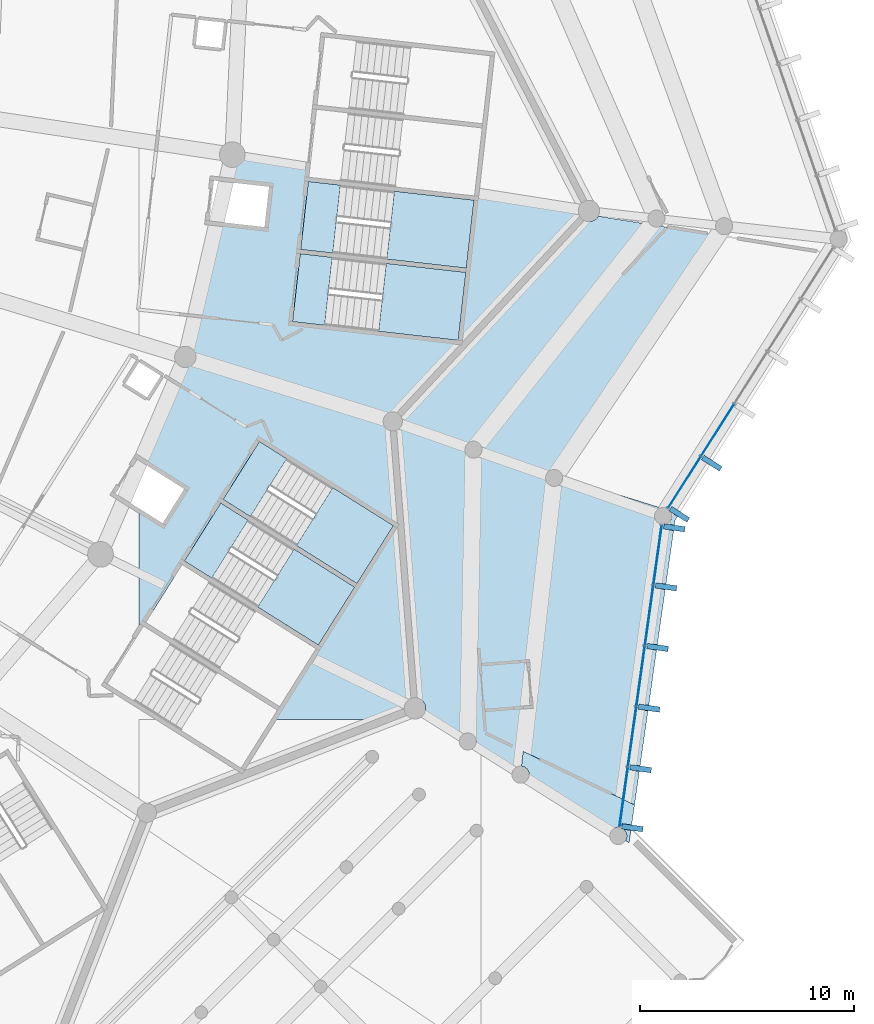
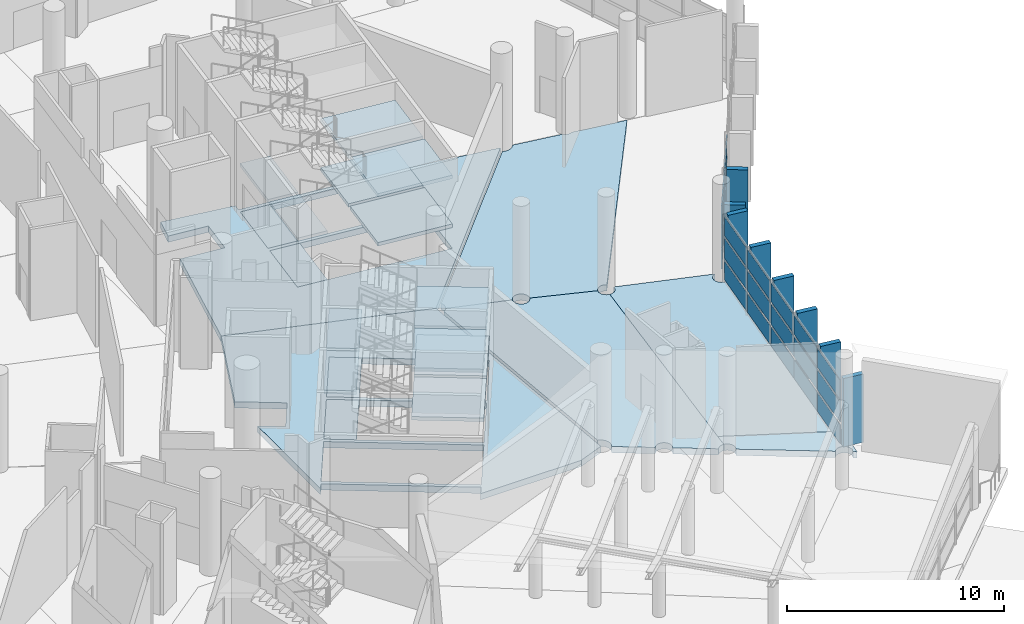
# One storey, part 131 of 271: 29 plates, 22 slabs, 6 elements without a shape of their own.
"""IFC4 building model written with IfcOpenShell, lengths in metres."""

from ifc_helpers import new_model, si_unit, direction, frame, origin, origin_2d, place, context, subcontext, project, spatial, polyline, rectangle, outline, extrude, material, layer, layer_set, type_object, element, aggregate, save


model = new_model("IFC4")

# Units and contexts
model_context = context("Model", 3, precision=1e-05, world=origin(), true_north=direction((0.0, 1.0)))
body_context = subcontext(model_context, "Body", "Model", "MODEL_VIEW")
ifc_project = project(units=[si_unit("LENGTHUNIT", "METRE"), si_unit("AREAUNIT", "SQUARE_METRE"), si_unit("VOLUMEUNIT", "CUBIC_METRE"), si_unit("PLANEANGLEUNIT", "RADIAN"), si_unit("MASSUNIT", "GRAM", prefix="KILO")], contexts=[model_context])

# Site, building, storey
site_placement = place(None, origin())
site = spatial("IfcSite", under=ifc_project, at=site_placement, CompositionType="ELEMENT")
building_placement = place(site_placement, origin())
building = spatial("IfcBuilding", under=site, at=building_placement, Name="Meseta Stadium", CompositionType="ELEMENT")
storey_placement = place(building_placement, frame((0.0, 0.0, 6.5)))
storey = spatial("IfcBuildingStorey", under=building, at=storey_placement, Name="L01", CompositionType="ELEMENT", Elevation=6.5)

# Slabs
ifc_material_1 = material(Name="Concrete C40/50", Category="concrete")
ifc_layer_1 = layer(ifc_material_1, 0.35009765625)
ifc_layer_set_1 = layer_set([ifc_layer_1], Name="Floor slab 350")
slab_type_1 = type_object("IfcSlabType", Name="Floor slab 350", PredefinedType="FLOOR", material=ifc_layer_set_1)
slab_1_placement = place(storey_placement, frame((0.0, 0.0, -0.35009765625)))
element("IfcSlab", 1, at=slab_1_placement, inside=storey, type_object=slab_type_1, Name="Floor slab L01 sector 49 panel 16", PredefinedType="FLOOR", context=body_context, shape_type="SweptSolid", body=[
    extrude(outline(polyline([(81.10498046875, -70.81787109375), (80.0, -70.12353515625), (80.0, -75.959716796875), (80.208251953125, -75.628173828125), (86.47412109375, -79.565185546875), (86.20068359375, -80.0), (91.56103515625, -80.0), (92.908447265625, -79.474609375), (91.872802734375, -66.051513671875), (82.169189453125, -63.03369140625), (80.06787109375, -67.922119140625), (82.11572265625, -69.208984375), (81.10498046875, -70.81787109375)]), holes=[polyline([(82.01708984375, -72.749267578125), (88.282958984375, -76.686279296875), (86.58056640625, -79.395751953125), (80.314697265625, -75.458740234375), (82.01708984375, -72.749267578125)]), polyline([(82.123779296875, -72.579833984375), (83.826171875, -69.870361328125), (90.091796875, -73.807373046875), (88.389404296875, -76.516845703125), (82.123779296875, -72.579833984375)]), polyline([(83.9326171875, -69.700927734375), (85.635009765625, -66.991455078125), (91.90087890625, -70.9287109375), (90.1982421875, -73.63818359375), (83.9326171875, -69.700927734375)])]), origin(), (0.0, 0.0, 1.0), 0.35009765625),
])
slab_2_placement = place(storey_placement, frame((0.0, 0.0, -0.35009765625)))
element("IfcSlab", 2, at=slab_2_placement, inside=storey, type_object=slab_type_1, Name="Floor slab L01 sector 49 panel 17", PredefinedType="FLOOR", context=body_context, shape_type="SweptSolid", body=[
    extrude(outline(polyline([(82.169189453125, -63.03369140625), (91.872802734375, -66.051513671875), (100.910888671875, -56.353759765625), (95.3837890625, -55.463623046875), (87.94580078125, -54.62548828125), (87.985595703125, -54.272216796875), (84.335693359375, -53.684326171875), (84.0673828125, -54.842529296875), (86.08447265625, -55.06982421875), (85.87158203125, -56.9580078125), (83.635498046875, -56.7060546875), (82.169189453125, -63.03369140625)]), holes=[polyline([(87.1845703125, -61.3828125), (87.542724609375, -58.202880859375), (95.293701171875, -59.076171875), (94.935302734375, -62.256103515625), (87.1845703125, -61.3828125)]), polyline([(87.565185546875, -58.004150390625), (87.923583984375, -54.82421875), (95.67431640625, -55.697509765625), (95.316162109375, -58.87744140625), (87.565185546875, -58.004150390625)])]), origin(), (0.0, 0.0, 1.0), 0.35009765625),
])
slab_3_placement = place(storey_placement, frame((0.0, 0.0, -0.35009765625)))
element("IfcSlab", 3, at=slab_3_placement, inside=storey, type_object=slab_type_1, Name="Ring floor slab L01 8 part 1 panel 01", PredefinedType="FLOOR", context=body_context, shape_type="SweptSolid", body=[
    extrude(outline(polyline([(95.258544921875, -67.268310546875), (95.272705078125, -67.234375), (92.2578125, -66.2890625), (92.193603515625, -66.37255859375), (92.099609375, -66.444580078125), (92.054931640625, -66.463134765625), (93.021240234375, -78.985107421875), (93.0390625, -78.9873046875), (93.16064453125, -79.037841796875), (93.26513671875, -79.117919921875), (93.34521484375, -79.222412109375), (93.395751953125, -79.343994140625), (93.412841796875, -79.474609375), (93.395751953125, -79.60498046875), (93.34521484375, -79.726806640625), (93.333740234375, -79.74169921875), (95.0400390625, -80.81396484375), (95.094970703125, -80.7421875), (95.178466796875, -80.67822265625), (95.27587890625, -80.637939453125), (95.380126953125, -80.624267578125), (95.484619140625, -80.637939453125), (95.581787109375, -80.67822265625), (95.66552734375, -80.7421875), (95.7294921875, -80.825927734375), (95.77001953125, -80.923095703125), (95.78369140625, -81.027587890625), (95.77001953125, -81.132080078125), (95.7294921875, -81.2294921875), (95.720458984375, -81.241455078125), (97.51171875, -82.366943359375), (97.566650390625, -82.29541015625), (97.650146484375, -82.231201171875), (97.747314453125, -82.19091796875), (97.851806640625, -82.17724609375), (97.89697265625, -82.18310546875), (99.37890625, -69.09130859375), (99.3193359375, -69.08349609375), (99.22216796875, -69.043212890625), (99.138427734375, -68.97900390625), (99.074462890625, -68.8955078125), (99.0341796875, -68.798095703125), (99.020263671875, -68.69384765625), (99.0341796875, -68.58935546875), (99.045654296875, -68.5615234375), (96.0263671875, -67.5048828125), (95.997802734375, -67.574462890625), (95.93359375, -67.657958984375), (95.85009765625, -67.72216796875), (95.752685546875, -67.762451171875), (95.648193359375, -67.776123046875), (95.543701171875, -67.762451171875), (95.446533203125, -67.72216796875), (95.363037109375, -67.657958984375), (95.298828125, -67.574462890625), (95.258544921875, -67.47705078125), (95.244873046875, -67.372802734375), (95.258544921875, -67.268310546875)])), origin(), (0.0, 0.0, 1.0), 0.35009765625),
])
slab_4_placement = place(storey_placement, frame((0.0, 0.0, -0.35009765625)))
element("IfcSlab", 4, at=slab_4_placement, inside=storey, type_object=slab_type_1, Name="Ring floor slab L01 8 part 1 panel 02", PredefinedType="FLOOR", context=body_context, shape_type="SweptSolid", body=[
    extrude(outline(polyline([(92.27294921875, -65.842041015625), (92.31103515625, -65.93408203125), (92.32666015625, -66.051513671875), (92.31103515625, -66.1689453125), (92.265869140625, -66.278564453125), (92.2578125, -66.2890625), (95.272705078125, -67.234375), (95.298828125, -67.1708984375), (95.363037109375, -67.08740234375), (95.446533203125, -67.023193359375), (95.543701171875, -66.98291015625), (95.648193359375, -66.96923828125), (95.752685546875, -66.98291015625), (95.85009765625, -67.023193359375), (95.93359375, -67.08740234375), (95.997802734375, -67.1708984375), (96.0380859375, -67.268310546875), (96.0517578125, -67.372802734375), (96.038330078125, -67.474365234375), (96.0263671875, -67.5048828125), (99.045654296875, -68.5615234375), (99.074462890625, -68.4921875), (99.138427734375, -68.408447265625), (99.22216796875, -68.344482421875), (99.3193359375, -68.30419921875), (99.423828125, -68.290283203125), (99.5283203125, -68.30419921875), (99.62548828125, -68.344482421875), (99.64794921875, -68.361572265625), (107.08056640625, -57.347412109375), (104.39697265625, -56.915283203125), (104.31640625, -56.948486328125), (104.2119140625, -56.96240234375), (104.107666015625, -56.948486328125), (104.01025390625, -56.908203125), (103.9267578125, -56.84423828125), (103.922607421875, -56.8388671875), (101.49169921875, -56.447265625), (101.48828125, -56.455078125), (101.408203125, -56.559326171875), (101.3037109375, -56.6396484375), (101.18212890625, -56.68994140625), (101.0517578125, -56.70703125), (100.921142578125, -56.68994140625), (100.835693359375, -56.654541015625), (92.27294921875, -65.842041015625)])), origin(), (0.0, 0.0, 1.0), 0.35009765625),
])
slab_5_placement = place(storey_placement, frame((0.0, 0.0, -0.35009765625)))
element("IfcSlab", 5, at=slab_5_placement, inside=storey, type_object=slab_type_1, Name="Ring floor slab L01 8 part 1 panel 03", PredefinedType="FLOOR", context=body_context, shape_type="SweptSolid", body=[
    extrude(outline(polyline([(102.773681640625, -85.655517578125), (102.764892578125, -85.66650390625), (102.931396484375, -85.771240234375), (103.0263671875, -85.106201171875), (103.02734375, -85.10693359375), (103.186279296875, -83.992919921875), (97.9755859375, -81.487060546875), (97.89697265625, -82.18310546875), (97.956298828125, -82.19091796875), (98.0537109375, -82.231201171875), (98.13720703125, -82.29541015625), (98.201416015625, -82.37890625), (98.24169921875, -82.476318359375), (98.25537109375, -82.580810546875), (98.24169921875, -82.68505859375), (98.201416015625, -82.782470703125), (98.192626953125, -82.793701171875), (102.084716796875, -85.239013671875), (102.138916015625, -85.16845703125), (102.222412109375, -85.104248046875), (102.31982421875, -85.06396484375), (102.42431640625, -85.05029296875), (102.479736328125, -85.0576171875), (102.528564453125, -85.06396484375), (102.6259765625, -85.104248046875), (102.70947265625, -85.16845703125), (102.773681640625, -85.251953125), (102.81396484375, -85.34912109375), (102.82763671875, -85.45361328125), (102.81396484375, -85.55810546875), (102.773681640625, -85.655517578125)])), origin(), (0.0, 0.0, 1.0), 0.35009765625),
])
slab_6_placement = place(storey_placement, frame((0.0, 0.0, -0.35009765625)))
element("IfcSlab", 6, at=slab_6_placement, inside=storey, type_object=slab_type_1, Name="Ring floor slab L01 8 part 1 panel 04", PredefinedType="FLOOR", context=body_context, shape_type="SweptSolid", body=[
    extrude(outline(polyline([(104.319091796875, -70.82666015625), (104.235595703125, -70.7626953125), (104.17138671875, -70.678955078125), (104.131103515625, -70.581787109375), (104.1171875, -70.477294921875), (104.131103515625, -70.372802734375), (104.17138671875, -70.275634765625), (104.235595703125, -70.19189453125), (104.319091796875, -70.1279296875), (104.397705078125, -70.09521484375), (99.822998046875, -68.660888671875), (99.8271484375, -68.69384765625), (99.8134765625, -68.798095703125), (99.773193359375, -68.8955078125), (99.708984375, -68.97900390625), (99.62548828125, -69.043212890625), (99.5283203125, -69.08349609375), (99.423828125, -69.09716796875), (99.37890625, -69.09130859375), (97.9755859375, -81.487060546875), (103.186279296875, -83.992919921875), (105.087158203125, -70.675537109375), (105.27880859375, -70.37158203125), (104.837646484375, -70.233154296875), (104.8701171875, -70.275634765625), (104.910400390625, -70.372802734375), (104.92431640625, -70.477294921875), (104.910400390625, -70.581787109375), (104.8701171875, -70.678955078125), (104.805908203125, -70.7626953125), (104.722412109375, -70.82666015625), (104.625244140625, -70.866943359375), (104.520751953125, -70.880859375), (104.416259765625, -70.866943359375), (104.319091796875, -70.82666015625)])), origin(), (0.0, 0.0, 1.0), 0.35009765625),
])

# Curtain wall, plates
ifc_material_2 = material(Name="Aluminium", Category="aluminium")
ifc_layer_2 = layer(ifc_material_2, 0.199951171875)
ifc_layer_set_2 = layer_set([ifc_layer_2], Name="Ring shopfront curtain wall")
curtain_wall_type = type_object("IfcCurtainWallType", Name="Ring shopfront curtain wall", PredefinedType="NOTDEFINED", material=ifc_layer_set_2)
curtain_wall_1_placement = place(storey_placement, origin())
curtain_wall_1 = element("IfcCurtainWall", 7, at=curtain_wall_1_placement, inside=storey, type_object=curtain_wall_type, Name="Ring glazing L01 F54", PredefinedType="NOTDEFINED")
ifc_material_3 = material(Name="Glass", Category="glass")
ifc_layer_3 = layer(ifc_material_3, 0.035888671875)
ifc_layer_set_3 = layer_set([ifc_layer_3], Name="Ring CW glass panel 36")
plate_type_1 = type_object("IfcPlateType", Name="Ring CW glass panel 36", PredefinedType="CURTAIN_PANEL", material=ifc_layer_set_3)
plate_1_placement = place(storey_placement, frame((102.68017578125, -83.624267578125, 0.14990234375), z_axis=(0.0, 0.0, 1.0), x_axis=(0.13864277713, 0.990342456098, 0.0)))
plate_1 = element("IfcPlate", 8, at=plate_1_placement, type_object=plate_type_1, Name="CWR1 panel 1.1", PredefinedType="CURTAIN_PANEL", context=body_context, shape_type="SweptSolid", body=[
    extrude(rectangle(XDim=2.7744140625, YDim=0.035888671875, at=origin_2d()), origin(), (0.0, 0.0, 1.0), 1.058349609375),
])
plate_2_placement = place(storey_placement, frame((102.68017578125, -83.624267578125, 1.3583984375), z_axis=(0.0, 0.0, 1.0), x_axis=(0.13864277713, 0.990342456098, 0.0)))
plate_2 = element("IfcPlate", 9, at=plate_2_placement, type_object=plate_type_1, Name="CWR1 panel 1.2", PredefinedType="CURTAIN_PANEL", context=body_context, shape_type="SweptSolid", body=[
    extrude(rectangle(XDim=2.7744140625, YDim=0.035888671875, at=origin_2d()), origin(), (0.0, 0.0, 1.0), 1.13330078125),
])
plate_3_placement = place(storey_placement, frame((102.68017578125, -83.624267578125, 2.6416015625), z_axis=(0.0, 0.0, 1.0), x_axis=(0.13864277713, 0.990342456098, 0.0)))
plate_3 = element("IfcPlate", 10, at=plate_3_placement, type_object=plate_type_1, Name="CWR1 panel 1.3", PredefinedType="CURTAIN_PANEL", context=body_context, shape_type="SweptSolid", body=[
    extrude(rectangle(XDim=2.7744140625, YDim=0.035888671875, at=origin_2d()), origin(), (0.0, 0.0, 1.0), 1.058349609375),
])
plate_4_placement = place(storey_placement, frame((103.0751953125, -80.80224609375, 0.14990234375), z_axis=(0.0, 0.0, 1.0), x_axis=(0.13864277713, 0.990342456098, 0.0)))
plate_4 = element("IfcPlate", 11, at=plate_4_placement, type_object=plate_type_1, Name="CWR1 panel 2.1", PredefinedType="CURTAIN_PANEL", context=body_context, shape_type="SweptSolid", body=[
    extrude(rectangle(XDim=2.804443359375, YDim=0.035888671875, at=origin_2d()), origin(), (0.0, 0.0, 1.0), 1.058349609375),
])
plate_5_placement = place(storey_placement, frame((103.0751953125, -80.80224609375, 1.3583984375), z_axis=(0.0, 0.0, 1.0), x_axis=(0.13864277713, 0.990342456098, 0.0)))
plate_5 = element("IfcPlate", 12, at=plate_5_placement, type_object=plate_type_1, Name="CWR1 panel 2.2", PredefinedType="CURTAIN_PANEL", context=body_context, shape_type="SweptSolid", body=[
    extrude(rectangle(XDim=2.804443359375, YDim=0.035888671875, at=origin_2d()), origin(), (0.0, 0.0, 1.0), 1.13330078125),
])
plate_6_placement = place(storey_placement, frame((103.0751953125, -80.80224609375, 2.6416015625), z_axis=(0.0, 0.0, 1.0), x_axis=(0.13864277713, 0.990342456098, 0.0)))
plate_6 = element("IfcPlate", 13, at=plate_6_placement, type_object=plate_type_1, Name="CWR1 panel 2.3", PredefinedType="CURTAIN_PANEL", context=body_context, shape_type="SweptSolid", body=[
    extrude(rectangle(XDim=2.804443359375, YDim=0.035888671875, at=origin_2d()), origin(), (0.0, 0.0, 1.0), 1.058349609375),
])
plate_7_placement = place(storey_placement, frame((103.472412109375, -77.96533203125, 0.14990234375), z_axis=(0.0, 0.0, 1.0), x_axis=(0.13864277713, 0.990342456098, 0.0)))
plate_7 = element("IfcPlate", 14, at=plate_7_placement, type_object=plate_type_1, Name="CWR1 panel 3.1", PredefinedType="CURTAIN_PANEL", context=body_context, shape_type="SweptSolid", body=[
    extrude(rectangle(XDim=2.804443359375, YDim=0.035888671875, at=origin_2d()), origin(), (0.0, 0.0, 1.0), 1.058349609375),
])
plate_8_placement = place(storey_placement, frame((103.472412109375, -77.96533203125, 1.3583984375), z_axis=(0.0, 0.0, 1.0), x_axis=(0.13864277713, 0.990342456098, 0.0)))
plate_8 = element("IfcPlate", 15, at=plate_8_placement, type_object=plate_type_1, Name="CWR1 panel 3.2", PredefinedType="CURTAIN_PANEL", context=body_context, shape_type="SweptSolid", body=[
    extrude(rectangle(XDim=2.804443359375, YDim=0.035888671875, at=origin_2d()), origin(), (0.0, 0.0, 1.0), 1.13330078125),
])
plate_9_placement = place(storey_placement, frame((103.472412109375, -77.96533203125, 2.6416015625), z_axis=(0.0, 0.0, 1.0), x_axis=(0.13864277713, 0.990342456098, 0.0)))
plate_9 = element("IfcPlate", 16, at=plate_9_placement, type_object=plate_type_1, Name="CWR1 panel 3.3", PredefinedType="CURTAIN_PANEL", context=body_context, shape_type="SweptSolid", body=[
    extrude(rectangle(XDim=2.804443359375, YDim=0.035888671875, at=origin_2d()), origin(), (0.0, 0.0, 1.0), 1.058349609375),
])
plate_10_placement = place(storey_placement, frame((103.86962890625, -75.128662109375, 0.14990234375), z_axis=(0.0, 0.0, 1.0), x_axis=(0.13864277713, 0.990342456098, 0.0)))
plate_10 = element("IfcPlate", 17, at=plate_10_placement, type_object=plate_type_1, Name="CWR1 panel 4.1", PredefinedType="CURTAIN_PANEL", context=body_context, shape_type="SweptSolid", body=[
    extrude(rectangle(XDim=2.804443359375, YDim=0.035888671875, at=origin_2d()), origin(), (0.0, 0.0, 1.0), 1.058349609375),
])
plate_11_placement = place(storey_placement, frame((103.86962890625, -75.128662109375, 1.3583984375), z_axis=(0.0, 0.0, 1.0), x_axis=(0.13864277713, 0.990342456098, 0.0)))
plate_11 = element("IfcPlate", 18, at=plate_11_placement, type_object=plate_type_1, Name="CWR1 panel 4.2", PredefinedType="CURTAIN_PANEL", context=body_context, shape_type="SweptSolid", body=[
    extrude(rectangle(XDim=2.804443359375, YDim=0.035888671875, at=origin_2d()), origin(), (0.0, 0.0, 1.0), 1.13330078125),
])
plate_12_placement = place(storey_placement, frame((103.86962890625, -75.128662109375, 2.6416015625), z_axis=(0.0, 0.0, 1.0), x_axis=(0.13864277713, 0.990342456098, 0.0)))
plate_12 = element("IfcPlate", 19, at=plate_12_placement, type_object=plate_type_1, Name="CWR1 panel 4.3", PredefinedType="CURTAIN_PANEL", context=body_context, shape_type="SweptSolid", body=[
    extrude(rectangle(XDim=2.804443359375, YDim=0.035888671875, at=origin_2d()), origin(), (0.0, 0.0, 1.0), 1.058349609375),
])
plate_13_placement = place(storey_placement, frame((104.2646484375, -72.306640625, 0.14990234375), z_axis=(0.0, 0.0, 1.0), x_axis=(0.13864277713, 0.990342456098, 0.0)))
plate_13 = element("IfcPlate", 20, at=plate_13_placement, type_object=plate_type_1, Name="CWR1 panel 5.1", PredefinedType="CURTAIN_PANEL", context=body_context, shape_type="SweptSolid", body=[
    extrude(rectangle(XDim=2.7744140625, YDim=0.035888671875, at=origin_2d()), origin(), (0.0, 0.0, 1.0), 1.058349609375),
])
plate_14_placement = place(storey_placement, frame((104.2646484375, -72.306640625, 1.3583984375), z_axis=(0.0, 0.0, 1.0), x_axis=(0.13864277713, 0.990342456098, 0.0)))
plate_14 = element("IfcPlate", 21, at=plate_14_placement, type_object=plate_type_1, Name="CWR1 panel 5.2", PredefinedType="CURTAIN_PANEL", context=body_context, shape_type="SweptSolid", body=[
    extrude(rectangle(XDim=2.7744140625, YDim=0.035888671875, at=origin_2d()), origin(), (0.0, 0.0, 1.0), 1.13330078125),
])
plate_15_placement = place(storey_placement, frame((104.2646484375, -72.306640625, 2.6416015625), z_axis=(0.0, 0.0, 1.0), x_axis=(0.13864277713, 0.990342456098, 0.0)))
plate_15 = element("IfcPlate", 22, at=plate_15_placement, type_object=plate_type_1, Name="CWR1 panel 5.3", PredefinedType="CURTAIN_PANEL", context=body_context, shape_type="SweptSolid", body=[
    extrude(rectangle(XDim=2.7744140625, YDim=0.035888671875, at=origin_2d()), origin(), (0.0, 0.0, 1.0), 1.058349609375),
])
aggregate(curtain_wall_1, [plate_1, plate_2, plate_3, plate_4, plate_5, plate_6, plate_7, plate_8, plate_9, plate_10, plate_11, plate_12, plate_13, plate_14, plate_15])

curtain_wall_2_placement = place(storey_placement, origin())
curtain_wall_2 = element("IfcCurtainWall", 23, at=curtain_wall_2_placement, inside=storey, type_object=curtain_wall_type, Name="Ring glazing L01 F55", PredefinedType="NOTDEFINED")
plate_16_placement = place(storey_placement, frame((105.52197265625, -68.898681640625, 0.14990234375), z_axis=(0.0, 0.0, 1.0), x_axis=(0.535569055659, 0.844491436677, 0.0)))
plate_16 = element("IfcPlate", 24, at=plate_16_placement, type_object=plate_type_1, Name="CWR1 panel 1.1", PredefinedType="CURTAIN_PANEL", context=body_context, shape_type="SweptSolid", body=[
    extrude(rectangle(XDim=2.81884765625, YDim=0.035888671875, at=origin_2d()), origin(), (0.0, 0.0, 1.0), 1.058349609375),
])
plate_17_placement = place(storey_placement, frame((105.52197265625, -68.898681640625, 1.3583984375), z_axis=(0.0, 0.0, 1.0), x_axis=(0.535569055659, 0.844491436677, 0.0)))
plate_17 = element("IfcPlate", 25, at=plate_17_placement, type_object=plate_type_1, Name="CWR1 panel 1.2", PredefinedType="CURTAIN_PANEL", context=body_context, shape_type="SweptSolid", body=[
    extrude(rectangle(XDim=2.81884765625, YDim=0.035888671875, at=origin_2d()), origin(), (0.0, 0.0, 1.0), 1.13330078125),
])
plate_18_placement = place(storey_placement, frame((105.52197265625, -68.898681640625, 2.6416015625), z_axis=(0.0, 0.0, 1.0), x_axis=(0.535569055659, 0.844491436677, 0.0)))
plate_18 = element("IfcPlate", 26, at=plate_18_placement, type_object=plate_type_1, Name="CWR1 panel 1.3", PredefinedType="CURTAIN_PANEL", context=body_context, shape_type="SweptSolid", body=[
    extrude(rectangle(XDim=2.81884765625, YDim=0.035888671875, at=origin_2d()), origin(), (0.0, 0.0, 1.0), 1.058349609375),
])
plate_19_placement = place(storey_placement, frame((107.07177734375, -66.454833984375, 0.14990234375), z_axis=(0.0, 0.0, 1.0), x_axis=(0.535569055659, 0.844491436677, 0.0)))
plate_19 = element("IfcPlate", 27, at=plate_19_placement, type_object=plate_type_1, Name="CWR1 panel 2.1", PredefinedType="CURTAIN_PANEL", context=body_context, shape_type="SweptSolid", body=[
    extrude(rectangle(XDim=2.848876953125, YDim=0.035888671875, at=origin_2d()), origin(), (0.0, 0.0, 1.0), 1.058349609375),
])
plate_20_placement = place(storey_placement, frame((107.07177734375, -66.454833984375, 1.3583984375), z_axis=(0.0, 0.0, 1.0), x_axis=(0.535569055659, 0.844491436677, 0.0)))
plate_20 = element("IfcPlate", 28, at=plate_20_placement, type_object=plate_type_1, Name="CWR1 panel 2.2", PredefinedType="CURTAIN_PANEL", context=body_context, shape_type="SweptSolid", body=[
    extrude(rectangle(XDim=2.848876953125, YDim=0.035888671875, at=origin_2d()), origin(), (0.0, 0.0, 1.0), 1.13330078125),
])
plate_21_placement = place(storey_placement, frame((107.07177734375, -66.454833984375, 2.6416015625), z_axis=(0.0, 0.0, 1.0), x_axis=(0.535569055659, 0.844491436677, 0.0)))
plate_21 = element("IfcPlate", 29, at=plate_21_placement, type_object=plate_type_1, Name="CWR1 panel 2.3", PredefinedType="CURTAIN_PANEL", context=body_context, shape_type="SweptSolid", body=[
    extrude(rectangle(XDim=2.848876953125, YDim=0.035888671875, at=origin_2d()), origin(), (0.0, 0.0, 1.0), 1.058349609375),
])
aggregate(curtain_wall_2, [plate_16, plate_17, plate_18, plate_19, plate_20, plate_21])

# Plates
ifc_material_4 = material(Name="Precast concrete C40/50", Category="concrete")
ifc_layer_4 = layer(ifc_material_4, 0.25)
ifc_layer_set_4 = layer_set([ifc_layer_4], Name="Ring brise-soleil fin 250x1000")
plate_type_2 = type_object("IfcPlateType", Name="Ring brise-soleil fin 250x1000", PredefinedType="USERDEFINED", material=ifc_layer_set_4)
for number, where, z_axis, x_axis, name in (
    (30, (103.084228515625, -85.06640625, 0.0), (0.0, 0.0, 1.0), (0.138640750978, 0.990342739746, 0.0), "Brise-soleil fin L01 F54.1"),
    (31, (103.470947265625, -82.303955078125, 0.0), (0.0, 0.0, 1.0), (0.138640750978, 0.990342739746, 0.0), "Brise-soleil fin L01 F54.2"),
    (32, (103.8681640625, -79.467041015625, 0.0), (0.0, 0.0, 1.0), (0.138640750978, 0.990342739746, 0.0), "Brise-soleil fin L01 F54.3"),
    (33, (104.26513671875, -76.63037109375, 0.0), (0.0, 0.0, 1.0), (0.138640750978, 0.990342739746, 0.0), "Brise-soleil fin L01 F54.4"),
    (34, (104.662353515625, -73.79345703125, 0.0), (0.0, 0.0, 1.0), (0.138640750978, 0.990342739746, 0.0), "Brise-soleil fin L01 F54.5"),
    (35, (105.049072265625, -71.031005859375, 0.0), (0.0, 0.0, 1.0), (0.138640750978, 0.990342739746, 0.0), "Brise-soleil fin L01 F54.6"),
    (36, (105.281982421875, -70.3974609375, 0.0), (0.0, 0.0, 1.0), (0.5355688847, 0.844491545098, 0.0), "Brise-soleil fin L01 F55.1"),
    (37, (106.799560546875, -68.00439453125, 0.0), (0.0, 0.0, 1.0), (0.5355688847, 0.844491545098, 0.0), "Brise-soleil fin L01 F55.2"),
):
    element("IfcPlate", number, at=place(storey_placement, frame(where, z_axis=z_axis, x_axis=x_axis)), inside=storey, type_object=plate_type_2, Name=name, ObjectType="FIN", PredefinedType="USERDEFINED", context=body_context, shape_type="SweptSolid", body=[
        extrude(rectangle(XDim=0.25, YDim=1.0, at=origin_2d()), origin(), (0.0, 0.0, 1.0), 3.85009765625),
    ])

# Stair, slabs
ifc_material_5 = material(Name="Concrete C40/50", Category="concrete")
stair_type = type_object("IfcStairType", Name="Exit stair 4 flights 153 mm risers", PredefinedType="HALF_TURN_STAIR", material=ifc_material_5)
stair_1_placement = place(storey_placement, origin())
stair_1 = element("IfcStair", 38, at=stair_1_placement, inside=storey, type_object=stair_type, Name="ST1 L01", PredefinedType="HALF_TURN_STAIR")
ifc_material_6 = material(Name="Concrete C40/50", Category="concrete")
ifc_layer_5 = layer(ifc_material_6, 0.199951171875)
ifc_layer_set_5 = layer_set([ifc_layer_5], Name="Stair landing 200")
slab_type_2 = type_object("IfcSlabType", Name="Stair landing 200", PredefinedType="LANDING", material=ifc_layer_set_5)
slab_7_placement = place(storey_placement, frame((0.0, 0.0, 1.175048828125)))
slab_7 = element("IfcSlab", 39, at=slab_7_placement, type_object=slab_type_2, Name="ST1 L01 landing 1", PredefinedType="LANDING", context=body_context, shape_type="SweptSolid", body=[
    extrude(outline(polyline([(91.208984375, -61.836181640625), (94.935546875, -62.256103515625), (95.293701171875, -59.076171875), (91.5673828125, -58.65625), (91.208984375, -61.836181640625)])), origin(), (0.0, 0.0, 1.0), 0.199951171875),
])
slab_8_placement = place(storey_placement, frame((0.0, 0.0, 2.550048828125)))
slab_8 = element("IfcSlab", 40, at=slab_8_placement, type_object=slab_type_2, Name="ST1 L01 landing 2", PredefinedType="LANDING", context=body_context, shape_type="SweptSolid", body=[
    extrude(outline(polyline([(87.1845703125, -61.3828125), (88.68505859375, -61.5517578125), (89.043212890625, -58.3720703125), (87.542724609375, -58.202880859375), (87.1845703125, -61.3828125)])), origin(), (0.0, 0.0, 1.0), 0.199951171875),
])
slab_9_placement = place(storey_placement, frame((0.0, 0.0, 3.925048828125)))
slab_9 = element("IfcSlab", 41, at=slab_9_placement, type_object=slab_type_2, Name="ST1 L01 landing 3", PredefinedType="LANDING", context=body_context, shape_type="SweptSolid", body=[
    extrude(outline(polyline([(91.208984375, -61.836181640625), (94.935546875, -62.256103515625), (95.293701171875, -59.076171875), (91.5673828125, -58.65625), (91.208984375, -61.836181640625)])), origin(), (0.0, 0.0, 1.0), 0.199951171875),
])
slab_10_placement = place(storey_placement, frame((0.0, 0.0, -0.199951171875)))
slab_10 = element("IfcSlab", 42, at=slab_10_placement, type_object=slab_type_2, Name="ST1 L01 landing 4", PredefinedType="LANDING", context=body_context, shape_type="SweptSolid", body=[
    extrude(outline(polyline([(87.1845703125, -61.3828125), (88.68505859375, -61.5517578125), (89.043212890625, -58.3720703125), (87.542724609375, -58.202880859375), (87.1845703125, -61.3828125)])), origin(), (0.0, 0.0, 1.0), 0.199951171875),
])
aggregate(stair_1, [slab_7, slab_8, slab_9, slab_10])

stair_2_placement = place(storey_placement, origin())
stair_2 = element("IfcStair", 43, at=stair_2_placement, inside=storey, type_object=stair_type, Name="ST2 L01", PredefinedType="HALF_TURN_STAIR")
slab_11_placement = place(storey_placement, frame((0.0, 0.0, 1.175048828125)))
slab_11 = element("IfcSlab", 44, at=slab_11_placement, type_object=slab_type_2, Name="ST2 L01 landing 1", PredefinedType="LANDING", context=body_context, shape_type="SweptSolid", body=[
    extrude(outline(polyline([(91.589599609375, -58.45751953125), (95.316162109375, -58.87744140625), (95.67431640625, -55.697509765625), (91.947998046875, -55.27783203125), (91.589599609375, -58.45751953125)])), origin(), (0.0, 0.0, 1.0), 0.199951171875),
])
slab_12_placement = place(storey_placement, frame((0.0, 0.0, 2.550048828125)))
slab_12 = element("IfcSlab", 45, at=slab_12_placement, type_object=slab_type_2, Name="ST2 L01 landing 2", PredefinedType="LANDING", context=body_context, shape_type="SweptSolid", body=[
    extrude(outline(polyline([(87.565185546875, -58.004150390625), (89.065673828125, -58.17333984375), (89.424072265625, -54.993408203125), (87.92333984375, -54.82421875), (87.565185546875, -58.004150390625)])), origin(), (0.0, 0.0, 1.0), 0.199951171875),
])
slab_13_placement = place(storey_placement, frame((0.0, 0.0, 3.925048828125)))
slab_13 = element("IfcSlab", 46, at=slab_13_placement, type_object=slab_type_2, Name="ST2 L01 landing 3", PredefinedType="LANDING", context=body_context, shape_type="SweptSolid", body=[
    extrude(outline(polyline([(91.589599609375, -58.45751953125), (95.316162109375, -58.87744140625), (95.67431640625, -55.697509765625), (91.947998046875, -55.27783203125), (91.589599609375, -58.45751953125)])), origin(), (0.0, 0.0, 1.0), 0.199951171875),
])
slab_14_placement = place(storey_placement, frame((0.0, 0.0, -0.199951171875)))
slab_14 = element("IfcSlab", 47, at=slab_14_placement, type_object=slab_type_2, Name="ST2 L01 landing 4", PredefinedType="LANDING", context=body_context, shape_type="SweptSolid", body=[
    extrude(outline(polyline([(87.565185546875, -58.004150390625), (89.065673828125, -58.17333984375), (89.424072265625, -54.993408203125), (87.92333984375, -54.82421875), (87.565185546875, -58.004150390625)])), origin(), (0.0, 0.0, 1.0), 0.199951171875),
])
aggregate(stair_2, [slab_11, slab_12, slab_13, slab_14])

stair_3_placement = place(storey_placement, origin())
stair_3 = element("IfcStair", 48, at=stair_3_placement, inside=storey, type_object=stair_type, Name="ST111 L01", PredefinedType="HALF_TURN_STAIR")
slab_15_placement = place(storey_placement, frame((0.0, 0.0, 1.175048828125)))
slab_15 = element("IfcSlab", 49, at=slab_15_placement, type_object=slab_type_2, Name="ST111 L01 landing 1", PredefinedType="LANDING", context=body_context, shape_type="SweptSolid", body=[
    extrude(outline(polyline([(85.552978515625, -74.734619140625), (88.389404296875, -76.516845703125), (90.091796875, -73.807373046875), (87.25537109375, -72.025146484375), (85.552978515625, -74.734619140625)])), origin(), (0.0, 0.0, 1.0), 0.199951171875),
])
slab_16_placement = place(storey_placement, frame((0.0, 0.0, 2.550048828125)))
slab_16 = element("IfcSlab", 50, at=slab_16_placement, type_object=slab_type_2, Name="ST111 L01 landing 2", PredefinedType="LANDING", context=body_context, shape_type="SweptSolid", body=[
    extrude(outline(polyline([(82.12353515625, -72.579833984375), (83.402099609375, -73.38330078125), (85.104736328125, -70.673828125), (83.826171875, -69.870361328125), (82.12353515625, -72.579833984375)])), origin(), (0.0, 0.0, 1.0), 0.199951171875),
])
slab_17_placement = place(storey_placement, frame((0.0, 0.0, 3.925048828125)))
slab_17 = element("IfcSlab", 51, at=slab_17_placement, type_object=slab_type_2, Name="ST111 L01 landing 3", PredefinedType="LANDING", context=body_context, shape_type="SweptSolid", body=[
    extrude(outline(polyline([(85.552978515625, -74.734619140625), (88.389404296875, -76.516845703125), (90.091796875, -73.807373046875), (87.25537109375, -72.025146484375), (85.552978515625, -74.734619140625)])), origin(), (0.0, 0.0, 1.0), 0.199951171875),
])
slab_18_placement = place(storey_placement, frame((0.0, 0.0, -0.199951171875)))
slab_18 = element("IfcSlab", 52, at=slab_18_placement, type_object=slab_type_2, Name="ST111 L01 landing 4", PredefinedType="LANDING", context=body_context, shape_type="SweptSolid", body=[
    extrude(outline(polyline([(82.12353515625, -72.579833984375), (83.402099609375, -73.38330078125), (85.104736328125, -70.673828125), (83.826171875, -69.870361328125), (82.12353515625, -72.579833984375)])), origin(), (0.0, 0.0, 1.0), 0.199951171875),
])
aggregate(stair_3, [slab_15, slab_16, slab_17, slab_18])

stair_4_placement = place(storey_placement, origin())
stair_4 = element("IfcStair", 53, at=stair_4_placement, inside=storey, type_object=stair_type, Name="ST112 L01", PredefinedType="HALF_TURN_STAIR")
slab_19_placement = place(storey_placement, frame((0.0, 0.0, 1.175048828125)))
slab_19 = element("IfcSlab", 54, at=slab_19_placement, type_object=slab_type_2, Name="ST112 L01 landing 1", PredefinedType="LANDING", context=body_context, shape_type="SweptSolid", body=[
    extrude(outline(polyline([(87.36181640625, -71.855712890625), (90.1982421875, -73.63818359375), (91.90087890625, -70.928466796875), (89.064208984375, -69.146240234375), (87.36181640625, -71.855712890625)])), origin(), (0.0, 0.0, 1.0), 0.199951171875),
])
slab_20_placement = place(storey_placement, frame((0.0, 0.0, 2.550048828125)))
slab_20 = element("IfcSlab", 55, at=slab_20_placement, type_object=slab_type_2, Name="ST112 L01 landing 2", PredefinedType="LANDING", context=body_context, shape_type="SweptSolid", body=[
    extrude(outline(polyline([(83.9326171875, -69.700927734375), (85.211181640625, -70.50439453125), (86.91357421875, -67.794921875), (85.635009765625, -66.991455078125), (83.9326171875, -69.700927734375)])), origin(), (0.0, 0.0, 1.0), 0.199951171875),
])
slab_21_placement = place(storey_placement, frame((0.0, 0.0, 3.925048828125)))
slab_21 = element("IfcSlab", 56, at=slab_21_placement, type_object=slab_type_2, Name="ST112 L01 landing 3", PredefinedType="LANDING", context=body_context, shape_type="SweptSolid", body=[
    extrude(outline(polyline([(87.36181640625, -71.855712890625), (90.1982421875, -73.63818359375), (91.90087890625, -70.928466796875), (89.064208984375, -69.146240234375), (87.36181640625, -71.855712890625)])), origin(), (0.0, 0.0, 1.0), 0.199951171875),
])
slab_22_placement = place(storey_placement, frame((0.0, 0.0, -0.199951171875)))
slab_22 = element("IfcSlab", 57, at=slab_22_placement, type_object=slab_type_2, Name="ST112 L01 landing 4", PredefinedType="LANDING", context=body_context, shape_type="SweptSolid", body=[
    extrude(outline(polyline([(83.9326171875, -69.700927734375), (85.211181640625, -70.50439453125), (86.91357421875, -67.794921875), (85.635009765625, -66.991455078125), (83.9326171875, -69.700927734375)])), origin(), (0.0, 0.0, 1.0), 0.199951171875),
])
aggregate(stair_4, [slab_19, slab_20, slab_21, slab_22])

save(model, "model.ifc")
